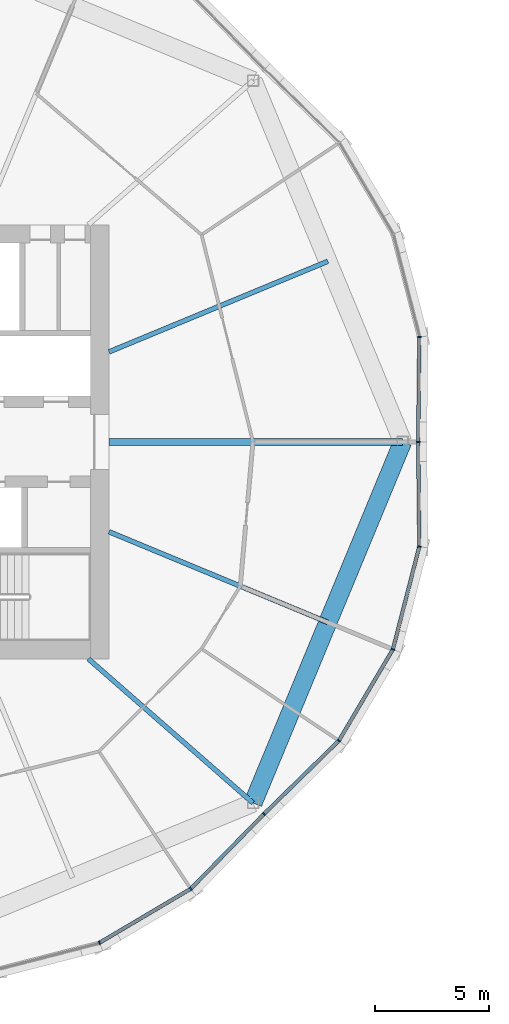
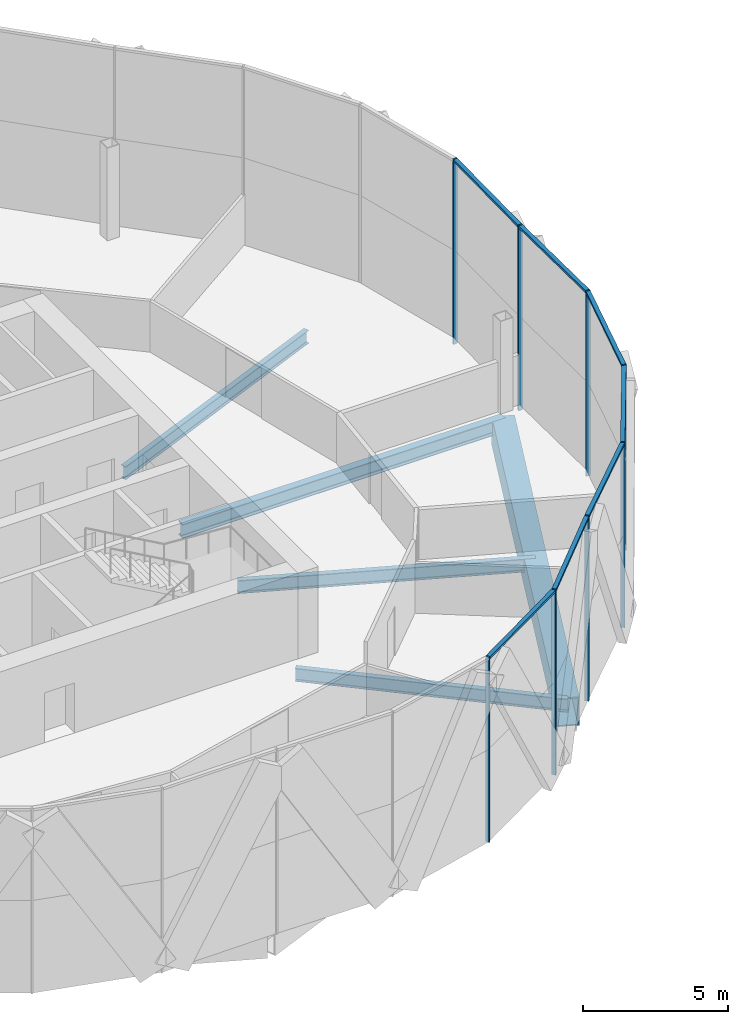
# One storey, part 6 of 27: 15 members, 5 beams, 3 elements without a shape of their own.
"""IFC4 building model written with IfcOpenShell, lengths in metres."""

from ifc_helpers import new_model, si_unit, direction, frame, origin, origin_2d, place, context, subcontext, project, spatial, rectangle, hollow_rectangle, i_section, extrude, material, material_profile, profile_set, type_object, element, aggregate, save


model = new_model("IFC4")

# Units and contexts
model_context = context("Model", 3, precision=1e-05, world=origin(), true_north=direction((0.0, 1.0)))
body_context = subcontext(model_context, "Body", "Model", "MODEL_VIEW")
ifc_project = project(units=[si_unit("LENGTHUNIT", "METRE"), si_unit("AREAUNIT", "SQUARE_METRE"), si_unit("VOLUMEUNIT", "CUBIC_METRE"), si_unit("PLANEANGLEUNIT", "RADIAN"), si_unit("MASSUNIT", "GRAM", prefix="KILO")], contexts=[model_context])

# Site, building, storey
site_placement = place(None, origin())
site = spatial("IfcSite", under=ifc_project, at=site_placement, CompositionType="ELEMENT")
building_placement = place(site_placement, origin())
building = spatial("IfcBuilding", under=site, at=building_placement, Name="Ogive Gate Towers", CompositionType="ELEMENT")
storey_placement = place(building_placement, frame((0.0, 0.0, 123.0)))
storey = spatial("IfcBuildingStorey", under=building, at=storey_placement, Name="L29", CompositionType="ELEMENT", Elevation=123.0)

# Beams
ifc_material_1 = material(Name="Steel SM460", Category="steel")
ifc_material_profile_1 = material_profile(ifc_material_1, hollow_rectangle(XDim=0.800048828125, YDim=1.199951171875, WallThickness=0.050048828125, at=origin_2d()), Name="BX 1200x800x50")
ifc_profile_set_1 = profile_set([ifc_material_profile_1], Name="Steel SM460")
beam_type_1 = type_object("IfcBeamType", Name="Edge girder BX 1200x800x50", PredefinedType="BEAM", material=ifc_profile_set_1)
beam_1_placement = place(storey_placement, frame((-20.196044921875, -15.803955078125, -0.89990234375), z_axis=(0.382679941797, 0.923880978344, 0.0), x_axis=(-0.923880978344, 0.382679941797, 0.0)))
element("IfcBeam", 1, at=beam_1_placement, inside=storey, type_object=beam_type_1, Name="T1/L29/SBM019", PredefinedType="BEAM", context=body_context, shape_type="SweptSolid", body=[
    extrude(hollow_rectangle(XDim=0.800048828125, YDim=1.199951171875, WallThickness=0.050048828125, at=origin_2d()), origin(), (0.0, 0.0, 1.0), 17.10595703125),
])
ifc_material_2 = material(Name="Steel SM355", Category="steel")
ifc_material_profile_2 = material_profile(ifc_material_2, i_section(OverallWidth=0.300048828125, OverallDepth=0.590087890625, WebThickness=0.012939453125, FlangeThickness=0.02490234375, FilletRadius=0.027099609375, at=origin_2d()), Name="HE 600 A")
ifc_profile_set_2 = profile_set([ifc_material_profile_2], Name="Steel SM355")
beam_type_2 = type_object("IfcBeamType", Name="Radial floor beam HE 600 A", PredefinedType="BEAM", material=ifc_profile_set_2)
beam_2_placement = place(storey_placement, frame((-26.5, 0.0, -0.594970703125), z_axis=(1.0, 0.0, 0.0), x_axis=(0.0, 1.0, 0.0)))
element("IfcBeam", 2, at=beam_2_placement, inside=storey, type_object=beam_type_2, Name="T1/L29/SBM007", PredefinedType="BEAM", context=body_context, shape_type="SweptSolid", body=[
    extrude(i_section(OverallWidth=0.300048828125, OverallDepth=0.590087890625, WebThickness=0.012939453125, FlangeThickness=0.02490234375, FilletRadius=0.027099609375, at=origin_2d()), origin(), (0.0, 0.0, 1.0), 12.85009765625),
])
ifc_material_profile_3 = material_profile(ifc_material_2, i_section(OverallWidth=0.2099609375, OverallDepth=0.550048828125, WebThickness=0.010986328125, FlangeThickness=0.01708984375, FilletRadius=0.02392578125, at=origin_2d()), Name="IPE 550")
ifc_profile_set_3 = profile_set([ifc_material_profile_3], Name="Steel SM355")
beam_type_3 = type_object("IfcBeamType", Name="Radial floor beam IPE 550", PredefinedType="BEAM", material=ifc_profile_set_3)
beam_3_placement = place(storey_placement, frame((-27.39990234375, -9.5, -0.574951171875), z_axis=(0.752546675937, -0.658538913457, 0.0), x_axis=(0.658538913457, 0.752546675937, 0.0)))
element("IfcBeam", 3, at=beam_3_placement, inside=storey, type_object=beam_type_3, Name="T1/L29/SBM005", PredefinedType="BEAM", context=body_context, shape_type="SweptSolid", body=[
    extrude(i_section(OverallWidth=0.2099609375, OverallDepth=0.550048828125, WebThickness=0.010986328125, FlangeThickness=0.01708984375, FilletRadius=0.02392578125, at=origin_2d()), origin(), (0.0, 0.0, 1.0), 9.57275390625),
])
for number, where, z_axis, x_axis, name in (
    (4, (-26.5, -3.93505859375, -0.574951171875), (0.92388249198, -0.382676287498, 0.0), (0.382676287498, 0.92388249198, 0.0), "T1/L29/SBM006"),
    (5, (-26.5, 3.93505859375, -0.574951171875), (0.92388249198, 0.382676287498, 0.0), (-0.382676287498, 0.92388249198, 0.0), "T1/L29/SBM008"),
):
    element("IfcBeam", number, at=place(storey_placement, frame(where, z_axis=z_axis, x_axis=x_axis)), inside=storey, type_object=beam_type_3, Name=name, PredefinedType="BEAM", context=body_context, shape_type="SweptSolid", body=[
        extrude(i_section(OverallWidth=0.2099609375, OverallDepth=0.550048828125, WebThickness=0.010986328125, FlangeThickness=0.01708984375, FilletRadius=0.02392578125, at=origin_2d()), origin(), (0.0, 0.0, 1.0), 10.365966796875),
    ])

# Curtain wall, members
ifc_material_3 = material(Name="Pale metal aluminium", Category="aluminium")
curtain_wall_type = type_object("IfcCurtainWallType", Name="Tower unitised wall, low zone", PredefinedType="NOTDEFINED", material=ifc_material_3)
curtain_wall_1_placement = place(storey_placement, origin())
curtain_wall_1 = element("IfcCurtainWall", 6, at=curtain_wall_1_placement, inside=storey, type_object=curtain_wall_type, Name="CW1 T1 ECW01", PredefinedType="NOTDEFINED")
ifc_material_profile_4 = material_profile(ifc_material_3, rectangle(XDim=0.159912109375, YDim=0.06005859375, at=origin_2d()), Name="60 x 160 aluminium box")
ifc_profile_set_4 = profile_set([ifc_material_profile_4], Name="Pale metal aluminium")
member_type_1 = type_object("IfcMemberType", Name="Tower unitised wall, low zone mullion 60 x 160", PredefinedType="MULLION", material=ifc_profile_set_4)
member_1_placement = place(storey_placement, frame((-12.969970703125, 0.000244140625, -0.300048828125), z_axis=(0.0, 0.0, 1.0), x_axis=(0.999941453103, -0.010820830182, 0.0)))
member_1 = element("IfcMember", 7, at=member_1_placement, type_object=member_type_1, Name="CW1 mullion", PredefinedType="MULLION", context=body_context, shape_type="SweptSolid", body=[
    extrude(rectangle(XDim=0.159912109375, YDim=0.06005859375, at=origin_2d()), origin(), (0.0, 0.0, 1.0), 7.800048828125),
])
member_2_placement = place(storey_placement, frame((-12.92041015625, 4.584716796875, -0.300048828125), z_axis=(0.0, 0.0, 1.0), x_axis=(0.992769917186, 0.12003287687, 0.0)))
member_2 = element("IfcMember", 8, at=member_2_placement, type_object=member_type_1, Name="CW1 mullion", PredefinedType="MULLION", context=body_context, shape_type="SweptSolid", body=[
    extrude(rectangle(XDim=0.159912109375, YDim=0.06005859375, at=origin_2d()), origin(), (0.0, 0.0, 1.0), 7.800048828125),
])

curtain_wall_2_placement = place(storey_placement, origin())
curtain_wall_2 = element("IfcCurtainWall", 9, at=curtain_wall_2_placement, inside=storey, type_object=curtain_wall_type, Name="CW1 T1 ECW07", PredefinedType="NOTDEFINED")
member_3_placement = place(storey_placement, frame((-26.918701171875, -21.924560546875, -0.300048828125), z_axis=(0.0, 0.0, 1.0), x_axis=(0.382683432365, -0.923879532511, 0.0)))
member_3 = element("IfcMember", 10, at=member_3_placement, type_object=member_type_1, Name="CW1 mullion", PredefinedType="MULLION", context=body_context, shape_type="SweptSolid", body=[
    extrude(rectangle(XDim=0.159912109375, YDim=0.06005859375, at=origin_2d()), origin(), (0.0, 0.0, 1.0), 7.800048828125),
])
member_4_placement = place(storey_placement, frame((-22.921875, -19.5615234375, -0.300048828125), z_axis=(0.0, 0.0, 1.0), x_axis=(0.617132012785, -0.786859630935, 0.0)))
member_4 = element("IfcMember", 11, at=member_4_placement, type_object=member_type_1, Name="CW1 mullion", PredefinedType="MULLION", context=body_context, shape_type="SweptSolid", body=[
    extrude(rectangle(XDim=0.159912109375, YDim=0.06005859375, at=origin_2d()), origin(), (0.0, 0.0, 1.0), 7.800048828125),
])
member_5_placement = place(storey_placement, frame((-19.715576171875, -16.284912109375, -0.300048828125), z_axis=(0.0, 0.0, 1.0), x_axis=(0.714704657494, -0.699426373935, 0.0)))
member_5 = element("IfcMember", 12, at=member_5_placement, type_object=member_type_1, Name="CW1 mullion", PredefinedType="MULLION", context=body_context, shape_type="SweptSolid", body=[
    extrude(rectangle(XDim=0.159912109375, YDim=0.06005859375, at=origin_2d()), origin(), (0.0, 0.0, 1.0), 7.800048828125),
])

curtain_wall_3_placement = place(storey_placement, origin())
curtain_wall_3 = element("IfcCurtainWall", 13, at=curtain_wall_3_placement, inside=storey, type_object=curtain_wall_type, Name="CW1 T1 ECW08", PredefinedType="NOTDEFINED")
member_6_placement = place(storey_placement, frame((-16.4384765625, -13.078125, -0.300048828125), z_axis=(0.0, 0.0, 1.0), x_axis=(0.786859630935, -0.617132012785, 0.0)))
member_6 = element("IfcMember", 14, at=member_6_placement, type_object=member_type_1, Name="CW1 mullion", PredefinedType="MULLION", context=body_context, shape_type="SweptSolid", body=[
    extrude(rectangle(XDim=0.159912109375, YDim=0.06005859375, at=origin_2d()), origin(), (0.0, 0.0, 1.0), 7.800048828125),
])
member_7_placement = place(storey_placement, frame((-14.075439453125, -9.081298828125, -0.300048828125), z_axis=(0.0, 0.0, 1.0), x_axis=(0.923879532511, -0.382683432365, 0.0)))
member_7 = element("IfcMember", 15, at=member_7_placement, type_object=member_type_1, Name="CW1 mullion", PredefinedType="MULLION", context=body_context, shape_type="SweptSolid", body=[
    extrude(rectangle(XDim=0.159912109375, YDim=0.06005859375, at=origin_2d()), origin(), (0.0, 0.0, 1.0), 7.800048828125),
])
member_8_placement = place(storey_placement, frame((-12.92041015625, -4.584716796875, -0.300048828125), z_axis=(0.0, 0.0, 1.0), x_axis=(0.992769917186, -0.12003287687, 0.0)))
member_8 = element("IfcMember", 16, at=member_8_placement, type_object=member_type_1, Name="CW1 mullion", PredefinedType="MULLION", context=body_context, shape_type="SweptSolid", body=[
    extrude(rectangle(XDim=0.159912109375, YDim=0.06005859375, at=origin_2d()), origin(), (0.0, 0.0, 1.0), 7.800048828125),
])

# Member
ifc_material_profile_5 = material_profile(ifc_material_3, rectangle(XDim=0.159912109375, YDim=0.10009765625, at=origin_2d()), Name="100 x 160 aluminium box")
ifc_profile_set_5 = profile_set([ifc_material_profile_5], Name="Pale metal aluminium")
member_type_2 = type_object("IfcMemberType", Name="Tower unitised wall, low zone transom 100 x 160", PredefinedType="USERDEFINED", material=ifc_profile_set_5)
member_9_placement = place(storey_placement, frame((-12.9697265625, 0.0302734375, 7.449951171875), z_axis=(0.010839617688, 0.999941249618, 0.0), x_axis=(-0.999941249618, 0.010839617688, 0.0)))
member_9 = element("IfcMember", 17, at=member_9_placement, type_object=member_type_2, Name="CW1 transom", ObjectType="TRANSOM", PredefinedType="USERDEFINED", context=body_context, shape_type="SweptSolid", body=[
    extrude(rectangle(XDim=0.159912109375, YDim=0.10009765625, at=origin_2d()), origin(), (0.0, 0.0, 1.0), 4.527099609375),
])

aggregate(curtain_wall_1, [member_1, member_2, member_9])

member_10_placement = place(storey_placement, frame((-26.895263671875, -21.91064453125, 7.449951171875), z_axis=(0.860803627002, 0.508937241456, 0.0), x_axis=(-0.508937241456, 0.860803627002, 0.0)))
member_10 = element("IfcMember", 18, at=member_10_placement, type_object=member_type_2, Name="CW1 transom", ObjectType="TRANSOM", PredefinedType="USERDEFINED", context=body_context, shape_type="SweptSolid", body=[
    extrude(rectangle(XDim=0.159912109375, YDim=0.10009765625, at=origin_2d()), origin(), (0.0, 0.0, 1.0), 4.58837890625),
])

member_11_placement = place(storey_placement, frame((-22.90283203125, -19.5419921875, 7.449951171875), z_axis=(0.699407370594, 0.714723254105, 0.0), x_axis=(-0.714723254105, 0.699407370594, 0.0)))
member_11 = element("IfcMember", 19, at=member_11_placement, type_object=member_type_2, Name="CW1 transom", ObjectType="TRANSOM", PredefinedType="USERDEFINED", context=body_context, shape_type="SweptSolid", body=[
    extrude(rectangle(XDim=0.159912109375, YDim=0.10009765625, at=origin_2d()), origin(), (0.0, 0.0, 1.0), 4.527099609375),
])

aggregate(curtain_wall_2, [member_3, member_4, member_10, member_5, member_11])

member_12_placement = place(storey_placement, frame((-19.693603515625, -16.263427734375, 7.449951171875), z_axis=(0.714723254105, 0.699407370594, 0.0), x_axis=(-0.699407370594, 0.714723254105, 0.0)))
member_12 = element("IfcMember", 20, at=member_12_placement, type_object=member_type_2, Name="CW1 transom", ObjectType="TRANSOM", PredefinedType="USERDEFINED", context=body_context, shape_type="SweptSolid", body=[
    extrude(rectangle(XDim=0.159912109375, YDim=0.10009765625, at=origin_2d()), origin(), (0.0, 0.0, 1.0), 4.527099609375),
])

member_13_placement = place(storey_placement, frame((-16.424560546875, -13.054443359375, 7.449951171875), z_axis=(0.508937241456, 0.860803627002, 0.0), x_axis=(-0.860803627002, 0.508937241456, 0.0)))
member_13 = element("IfcMember", 21, at=member_13_placement, type_object=member_type_2, Name="CW1 transom", ObjectType="TRANSOM", PredefinedType="USERDEFINED", context=body_context, shape_type="SweptSolid", body=[
    extrude(rectangle(XDim=0.159912109375, YDim=0.10009765625, at=origin_2d()), origin(), (0.0, 0.0, 1.0), 4.58837890625),
])

member_14_placement = place(storey_placement, frame((-14.06884765625, -9.05517578125, 7.449951171875), z_axis=(0.248802897809, 0.968554137899, 0.0), x_axis=(-0.968554137899, 0.248802897809, 0.0)))
member_14 = element("IfcMember", 22, at=member_14_placement, type_object=member_type_2, Name="CW1 transom", ObjectType="TRANSOM", PredefinedType="USERDEFINED", context=body_context, shape_type="SweptSolid", body=[
    extrude(rectangle(XDim=0.159912109375, YDim=0.10009765625, at=origin_2d()), origin(), (0.0, 0.0, 1.0), 4.58837890625),
])

member_15_placement = place(storey_placement, frame((-12.920654296875, -4.55712890625, 7.449951171875), z_axis=(-0.010839617688, 0.999941249618, 0.0), x_axis=(-0.999941249618, -0.010839617688, 0.0)))
member_15 = element("IfcMember", 23, at=member_15_placement, type_object=member_type_2, Name="CW1 transom", ObjectType="TRANSOM", PredefinedType="USERDEFINED", context=body_context, shape_type="SweptSolid", body=[
    extrude(rectangle(XDim=0.159912109375, YDim=0.10009765625, at=origin_2d()), origin(), (0.0, 0.0, 1.0), 4.527099609375),
])

aggregate(curtain_wall_3, [member_6, member_12, member_7, member_13, member_8, member_14, member_15])

save(model, "model.ifc")
